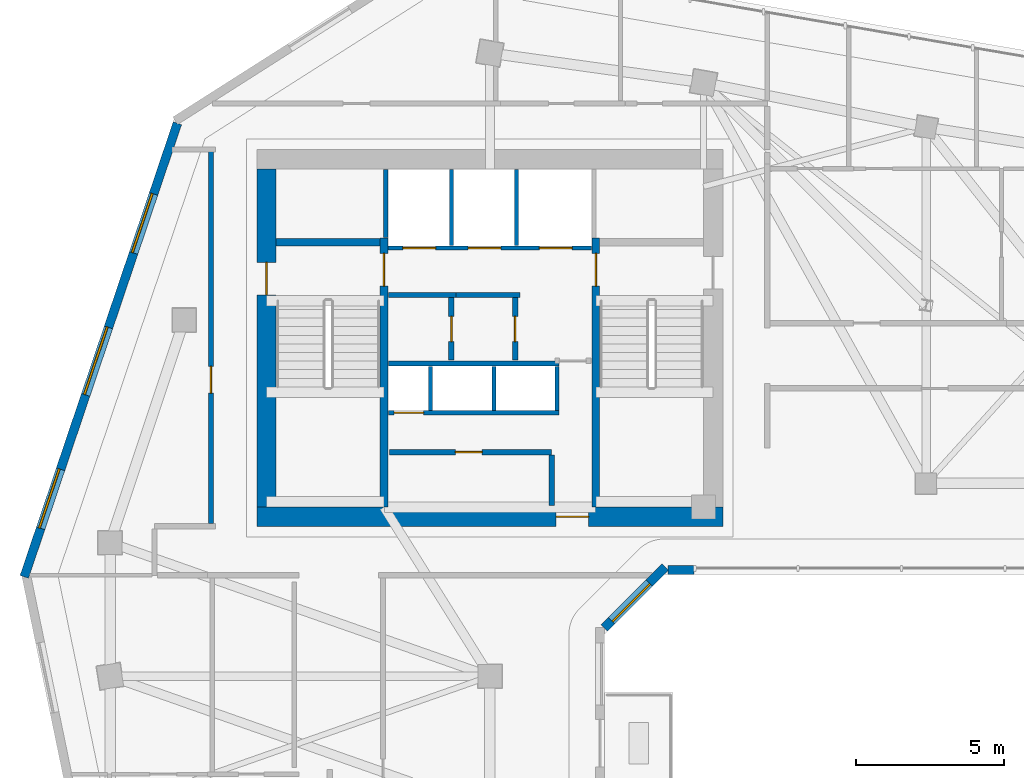
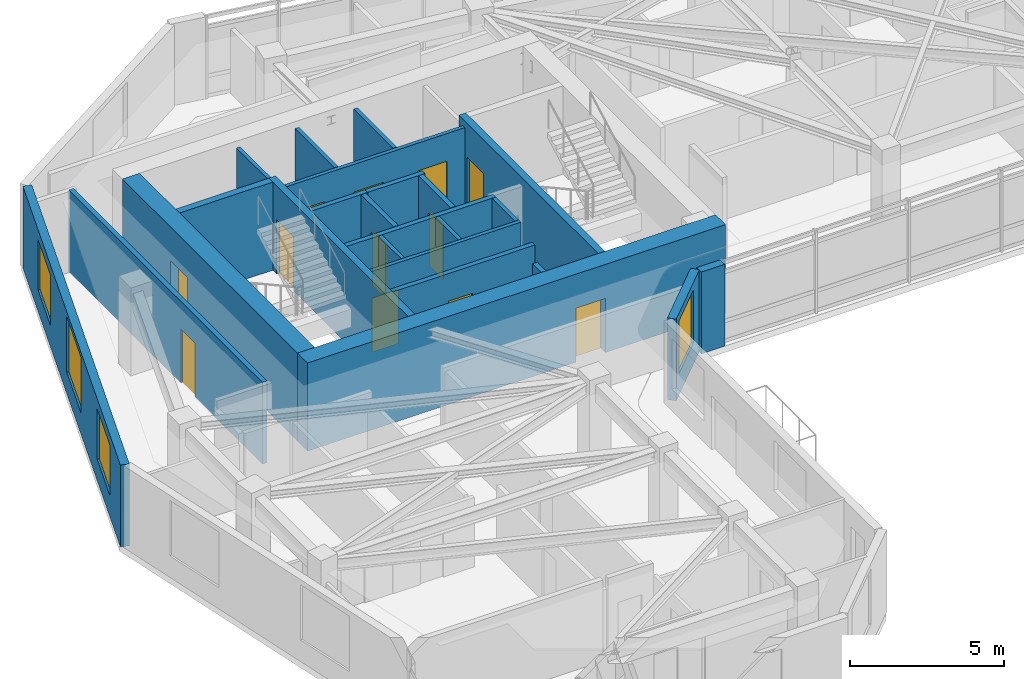
# One storey, part 5 of 10: 24 walls, 12 doors, 4 windows, 16 openings.
"""IFC4 building model written with IfcOpenShell, lengths in metres."""

from ifc_helpers import new_model, si_unit, direction, frame, frame_2d, origin, place, context, subcontext, project, spatial, rectangle, extrude, source, transform, mapped, material, layer, layer_set, type_object, element, fill, save


model = new_model("IFC4")

# Units and contexts
model_context = context("Model", 3, precision=1e-05, world=origin(), true_north=direction((0.0, 1.0)))
body_context = subcontext(model_context, "Body", "Model", "MODEL_VIEW")
ifc_project = project(units=[si_unit("LENGTHUNIT", "METRE"), si_unit("AREAUNIT", "SQUARE_METRE"), si_unit("VOLUMEUNIT", "CUBIC_METRE"), si_unit("PLANEANGLEUNIT", "RADIAN"), si_unit("MASSUNIT", "GRAM", prefix="KILO")], contexts=[model_context])

# Site, building, storey
site_placement = place(None, origin())
site = spatial("IfcSite", under=ifc_project, at=site_placement, CompositionType="ELEMENT")
building_placement = place(site_placement, origin())
building = spatial("IfcBuilding", under=site, at=building_placement, Name="Calvemar Wedge Station Tower", CompositionType="ELEMENT")
storey_placement = place(building_placement, frame((0.0, 0.0, 197.39990234375)))
storey = spatial("IfcBuildingStorey", under=building, at=storey_placement, Name="L49", CompositionType="ELEMENT", Elevation=197.39990234375)

# Wall, opening, door
ifc_material_1 = material(Name="Concrete C50", Category="concrete")
ifc_layer_1 = layer(ifc_material_1, 0.260009765625)
ifc_layer_set_1 = layer_set([ifc_layer_1], Name="Concrete C50")
wall_type_1 = type_object("IfcWallType", Name="SW-CORE-260", PredefinedType="SHEAR", material=ifc_layer_set_1)
wall_1_placement = place(storey_placement, frame((20.22998046875, 34.199951171875, 0.0), z_axis=(0.0, 0.0, 1.0), x_axis=(0.0, 1.0, 0.0)))
wall_1 = element("IfcWall", 1, at=wall_1_placement, inside=storey, type_object=wall_type_1, Name="Storey L49 Core Shear Wall SPINE-W", PredefinedType="SHEAR", context=body_context, shape_type="SweptSolid", body=[
    extrude(rectangle(XDim=9.06005859375, YDim=0.260009765625, at=frame_2d((4.530029296875, 0.0))), origin(), (0.0, 0.0, 1.0), 3.5),
])
shared_shape_1 = source(origin(), body_context, "Body", "SweptSolid", [
    extrude(rectangle(XDim=1.10009765625, YDim=2.14990234375, at=frame_2d((0.550048828125, 1.074951171875))), frame((0.0, 0.14013671875, 0.0), z_axis=(0.0, -1.0, 0.0), x_axis=(1.0, 0.0, 0.0)), (0.0, 0.0, 1.0), 0.280029296875),
])
opening_1_placement = place(wall_1_placement, frame((7.449951171875, 0.0, 0.0)))
opening_1 = element("IfcOpeningElement", 2, at=opening_1_placement, cuts=wall_1, Name="Opening FD-90", PredefinedType="OPENING", context=body_context, shape_type="MappedRepresentation", body=[
    mapped(shared_shape_1, transform((0.0, 0.0, 0.0), scale=1.0)),
])
ifc_material_2 = material(Name="Galvanized fire-rated steel door leaf P-90", Category="steel")
door_type_1 = type_object("IfcDoorType", Name="DR-FD90-1100", OperationType="NOTDEFINED", PredefinedType="DOOR", material=ifc_material_2)
shared_shape_2 = source(origin(), body_context, "Body", "SweptSolid", [
    extrude(rectangle(XDim=1.10009765625, YDim=2.14990234375, at=frame_2d((0.550048828125, 1.074951171875))), frame((0.0, 0.02490234375, 0.0), z_axis=(0.0, -1.0, 0.0), x_axis=(1.0, 0.0, 0.0)), (0.0, 0.0, 1.0), 0.050048828125),
])
door_1_placement = place(opening_1_placement, origin())
door_1 = element("IfcDoor", 3, at=door_1_placement, inside=storey, type_object=door_type_1, Name="L49 FF Lobby to Stair ST-C1 Door", OperationType="SINGLE_SWING_LEFT", OverallHeight=2.14990234375, OverallWidth=1.10009765625, PredefinedType="DOOR", context=body_context, shape_type="MappedRepresentation", body=[
    mapped(shared_shape_2, transform((0.0, 0.0, 0.0), scale=1.0)),
])
fill(opening_1, door_1)

wall_2_placement = place(storey_placement, frame((27.3701171875, 34.199951171875, 0.0), z_axis=(0.0, 0.0, 1.0), x_axis=(0.0, 1.0, 0.0)))
wall_2 = element("IfcWall", 4, at=wall_2_placement, inside=storey, type_object=wall_type_1, Name="Storey L49 Core Shear Wall SPINE-E", PredefinedType="SHEAR", context=body_context, shape_type="SweptSolid", body=[
    extrude(rectangle(XDim=9.06005859375, YDim=0.260009765625, at=frame_2d((4.530029296875, 0.0))), origin(), (0.0, 0.0, 1.0), 3.5),
])
opening_2_placement = place(wall_2_placement, frame((7.449951171875, 0.0, 0.0)))
opening_2 = element("IfcOpeningElement", 5, at=opening_2_placement, cuts=wall_2, Name="Opening FD-90", PredefinedType="OPENING", context=body_context, shape_type="MappedRepresentation", body=[
    mapped(shared_shape_1, transform((0.0, 0.0, 0.0), scale=1.0)),
])
door_2_placement = place(opening_2_placement, origin())
door_2 = element("IfcDoor", 6, at=door_2_placement, inside=storey, type_object=door_type_1, Name="L49 FF Lobby to Stair ST-C2 Door", OperationType="SINGLE_SWING_RIGHT", OverallHeight=2.14990234375, OverallWidth=1.10009765625, PredefinedType="DOOR", context=body_context, shape_type="MappedRepresentation", body=[
    mapped(shared_shape_2, transform((0.0, 0.0, 0.0), scale=1.0)),
])
fill(opening_2, door_2)

# Wall
wall_3_placement = place(storey_placement, frame((16.60009765625, 43.1298828125, 0.0), z_axis=(0.0, 0.0, 1.0), x_axis=(1.0, 0.0, 0.0)))
element("IfcWall", 7, at=wall_3_placement, inside=storey, type_object=wall_type_1, Name="Storey L49 Core Shear Wall STC1-N", PredefinedType="SHEAR", context=body_context, shape_type="SweptSolid", body=[
    extrude(rectangle(XDim=3.5, YDim=0.260009765625, at=frame_2d((1.75, 0.0))), origin(), (0.0, 0.0, 1.0), 3.5),
])

# Wall, opening, door
ifc_material_3 = material(Name="Concrete C60", Category="concrete")
ifc_layer_2 = layer(ifc_material_3, 0.64990234375)
ifc_layer_set_2 = layer_set([ifc_layer_2], Name="Concrete C60")
wall_type_2 = type_object("IfcWallType", Name="SW-CORE-650", PredefinedType="SHEAR", material=ifc_layer_set_2)
wall_4_placement = place(storey_placement, frame((15.949951171875, 33.875, 0.0), z_axis=(0.0, 0.0, 1.0), x_axis=(1.0, 0.0, 0.0)))
wall_4 = element("IfcWall", 8, at=wall_4_placement, inside=storey, type_object=wall_type_2, Name="Storey L49 Core Shear Wall S", PredefinedType="SHEAR", context=body_context, shape_type="SweptSolid", body=[
    extrude(rectangle(XDim=15.699951171875, YDim=0.64990234375, at=frame_2d((7.85009765625, 0.0))), origin(), (0.0, 0.0, 1.0), 3.5),
])
shared_shape_3 = source(origin(), body_context, "Body", "SweptSolid", [
    extrude(rectangle(XDim=1.10009765625, YDim=2.14990234375, at=frame_2d((0.550048828125, 1.074951171875))), frame((0.0, 0.3349609375, 0.0), z_axis=(0.0, -1.0, 0.0), x_axis=(1.0, 0.0, 0.0)), (0.0, 0.0, 1.0), 0.669921875),
])
opening_3_placement = place(wall_4_placement, frame((10.080078125, 0.0, 0.0)))
opening_3 = element("IfcOpeningElement", 9, at=opening_3_placement, cuts=wall_4, Name="Opening FD-90", PredefinedType="OPENING", context=body_context, shape_type="MappedRepresentation", body=[
    mapped(shared_shape_3, transform((0.0, 0.0, 0.0), scale=1.0)),
])
door_3_placement = place(opening_3_placement, origin())
door_3 = element("IfcDoor", 10, at=door_3_placement, inside=storey, type_object=door_type_1, Name="L49 Passenger Lift Lobby Door", OperationType="SINGLE_SWING_LEFT", OverallHeight=2.14990234375, OverallWidth=1.10009765625, PredefinedType="DOOR", context=body_context, shape_type="MappedRepresentation", body=[
    mapped(shared_shape_2, transform((0.0, 0.0, 0.0), scale=1.0)),
])
fill(opening_3, door_3)

wall_5_placement = place(storey_placement, frame((16.27490234375, 34.199951171875, 0.0), z_axis=(0.0, 0.0, 1.0), x_axis=(0.0, 1.0, 0.0)))
wall_5 = element("IfcWall", 11, at=wall_5_placement, inside=storey, type_object=wall_type_2, Name="Storey L49 Core Shear Wall W", PredefinedType="SHEAR", context=body_context, shape_type="SweptSolid", body=[
    extrude(rectangle(XDim=11.400146484375, YDim=0.64990234375, at=frame_2d((5.7001953125, 0.0))), origin(), (0.0, 0.0, 1.0), 3.5),
])
opening_4_placement = place(wall_5_placement, frame((7.14990234375, 0.0, 0.0)))
opening_4 = element("IfcOpeningElement", 12, at=opening_4_placement, cuts=wall_5, Name="Opening FD-90", PredefinedType="OPENING", context=body_context, shape_type="MappedRepresentation", body=[
    mapped(shared_shape_3, transform((0.0, 0.0, 0.0), scale=1.0)),
])
door_4_placement = place(opening_4_placement, origin())
door_4 = element("IfcDoor", 13, at=door_4_placement, inside=storey, type_object=door_type_1, Name="L49 West Corridor to Exit Stair ST-C1 Door", OperationType="SINGLE_SWING_LEFT", OverallHeight=2.14990234375, OverallWidth=1.10009765625, PredefinedType="DOOR", context=body_context, shape_type="MappedRepresentation", body=[
    mapped(shared_shape_2, transform((0.0, 0.0, 0.0), scale=1.0)),
])
fill(opening_4, door_4)

# Walls
ifc_material_4 = material(Name="Double-stud fire-rated corridor partition")
ifc_layer_3 = layer(ifc_material_4, 0.179931640625)
ifc_layer_set_3 = layer_set([ifc_layer_3], Name="Double-stud fire-rated corridor partition")
wall_type_3 = type_object("IfcWallType", Name="W-CORR-180", PredefinedType="PARTITIONING", material=ifc_layer_set_3)
wall_6_placement = place(storey_placement, frame((22.659912109375, 41.35009765625, 0.0), z_axis=(0.0, 0.0, 1.0), x_axis=(-1.0, 0.0, 0.0)))
element("IfcWall", 14, at=wall_6_placement, inside=storey, type_object=wall_type_3, Name="Storey L49 Interior Partition WL-L49-001", PredefinedType="PARTITIONING", context=body_context, shape_type="SweptSolid", body=[
    extrude(rectangle(XDim=2.280029296875, YDim=0.179931640625, at=frame_2d((1.14013671875, 0.0))), origin(), (0.0, 0.0, 1.0), 3.25),
])
wall_7_placement = place(storey_placement, frame((24.81005859375, 41.35009765625, 0.0), z_axis=(0.0, 0.0, 1.0), x_axis=(-1.0, 0.0, 0.0)))
element("IfcWall", 15, at=wall_7_placement, inside=storey, type_object=wall_type_3, Name="Storey L49 Interior Partition WL-L49-002", PredefinedType="PARTITIONING", context=body_context, shape_type="SweptSolid", body=[
    extrude(rectangle(XDim=2.14794921875, YDim=0.179931640625, at=frame_2d((1.073974609375, 0.0))), origin(), (0.0, 0.0, 1.0), 3.25),
])

# Wall, opening, door
wall_8_placement = place(storey_placement, frame((22.5, 41.256103515625, 0.0), z_axis=(0.0, 0.0, 1.0), x_axis=(0.0, -1.0, 0.0)))
wall_8 = element("IfcWall", 16, at=wall_8_placement, inside=storey, type_object=wall_type_3, Name="Storey L49 Interior Partition WL-L49-003", PredefinedType="PARTITIONING", context=body_context, shape_type="SweptSolid", body=[
    extrude(rectangle(XDim=2.106201171875, YDim=0.179931640625, at=frame_2d((1.05322265625, 0.0))), origin(), (0.0, 0.0, 1.0), 3.25),
])
shared_shape_4 = source(origin(), body_context, "Body", "SweptSolid", [
    extrude(rectangle(XDim=0.85009765625, YDim=2.14990234375, at=frame_2d((0.425048828125, 1.074951171875))), frame((0.0, 0.10009765625, 0.0), z_axis=(0.0, -1.0, 0.0), x_axis=(1.0, 0.0, 0.0)), (0.0, 0.0, 1.0), 0.199951171875),
])
opening_5_placement = place(wall_8_placement, frame((0.6279296875, 0.0, 0.0)))
opening_5 = element("IfcOpeningElement", 17, at=opening_5_placement, cuts=wall_8, Name="Opening FD-60S", PredefinedType="OPENING", context=body_context, shape_type="MappedRepresentation", body=[
    mapped(shared_shape_4, transform((0.0, 0.0, 0.0), scale=1.0)),
])
ifc_material_5 = material(Name="Fire-rated steel and hardwood service door EI 60", Category="steel")
door_type_2 = type_object("IfcDoorType", Name="DR-CORE-FD60-850", OperationType="NOTDEFINED", PredefinedType="DOOR", material=ifc_material_5)
shared_shape_5 = source(origin(), body_context, "Body", "SweptSolid", [
    extrude(rectangle(XDim=0.85009765625, YDim=2.14990234375, at=frame_2d((0.425048828125, 1.074951171875))), frame((0.0, 0.02490234375, 0.0), z_axis=(0.0, -1.0, 0.0), x_axis=(1.0, 0.0, 0.0)), (0.0, 0.0, 1.0), 0.050048828125),
])
door_5_placement = place(opening_5_placement, origin())
door_5 = element("IfcDoor", 18, at=door_5_placement, inside=storey, type_object=door_type_2, Name="L49 IT and Telecoms Room Door", OperationType="SINGLE_SWING_RIGHT", OverallHeight=2.14990234375, OverallWidth=0.85009765625, PredefinedType="DOOR", context=body_context, shape_type="MappedRepresentation", body=[
    mapped(shared_shape_5, transform((0.0, 0.0, 0.0), scale=1.0)),
])
fill(opening_5, door_5)

wall_9_placement = place(storey_placement, frame((24.64990234375, 41.256103515625, 0.0), z_axis=(0.0, 0.0, 1.0), x_axis=(0.0, -1.0, 0.0)))
wall_9 = element("IfcWall", 19, at=wall_9_placement, inside=storey, type_object=wall_type_3, Name="Storey L49 Interior Partition WL-L49-004", PredefinedType="PARTITIONING", context=body_context, shape_type="SweptSolid", body=[
    extrude(rectangle(XDim=2.106201171875, YDim=0.179931640625, at=frame_2d((1.05322265625, 0.0))), origin(), (0.0, 0.0, 1.0), 3.25),
])
opening_6_placement = place(wall_9_placement, frame((0.6279296875, 0.0, 0.0)))
opening_6 = element("IfcOpeningElement", 20, at=opening_6_placement, cuts=wall_9, Name="Opening FD-60S", PredefinedType="OPENING", context=body_context, shape_type="MappedRepresentation", body=[
    mapped(shared_shape_4, transform((0.0, 0.0, 0.0), scale=1.0)),
])
door_6_placement = place(opening_6_placement, origin())
door_6 = element("IfcDoor", 21, at=door_6_placement, inside=storey, type_object=door_type_2, Name="L49 Core Equipment Store Door", OperationType="SINGLE_SWING_LEFT", OverallHeight=2.14990234375, OverallWidth=0.85009765625, PredefinedType="DOOR", context=body_context, shape_type="MappedRepresentation", body=[
    mapped(shared_shape_5, transform((0.0, 0.0, 0.0), scale=1.0)),
])
fill(opening_6, door_6)

wall_10_placement = place(storey_placement, frame((20.419921875, 36.050048828125, 0.0), z_axis=(0.0, 0.0, 1.0), x_axis=(1.0, 0.0, 0.0)))
wall_10 = element("IfcWall", 22, at=wall_10_placement, inside=storey, type_object=wall_type_3, Name="Storey L49 Interior Partition WL-L49-006", PredefinedType="PARTITIONING", context=body_context, shape_type="SweptSolid", body=[
    extrude(rectangle(XDim=5.4599609375, YDim=0.179931640625, at=frame_2d((2.72998046875, 0.0))), origin(), (0.0, 0.0, 1.0), 3.25),
])
shared_shape_6 = source(origin(), body_context, "Body", "SweptSolid", [
    extrude(rectangle(XDim=0.89990234375, YDim=2.14990234375, at=frame_2d((0.449951171875, 1.074951171875))), frame((0.0, 0.10009765625, 0.0), z_axis=(0.0, -1.0, 0.0), x_axis=(1.0, 0.0, 0.0)), (0.0, 0.0, 1.0), 0.199951171875),
])
opening_7_placement = place(wall_10_placement, frame((2.219482421875, 0.0, 0.0)))
opening_7 = element("IfcOpeningElement", 23, at=opening_7_placement, cuts=wall_10, Name="Opening FD-60", PredefinedType="OPENING", context=body_context, shape_type="MappedRepresentation", body=[
    mapped(shared_shape_6, transform((0.0, 0.0, 0.0), scale=1.0)),
])
ifc_material_6 = material(Name="Fire-rated acoustic timber-core entrance door EI 60", Category="wood")
door_type_3 = type_object("IfcDoorType", Name="DR-FD60-900", OperationType="NOTDEFINED", PredefinedType="DOOR", material=ifc_material_6)
shared_shape_7 = source(origin(), body_context, "Body", "SweptSolid", [
    extrude(rectangle(XDim=0.89990234375, YDim=2.14990234375, at=frame_2d((0.449951171875, 1.074951171875))), frame((0.0, 0.02490234375, 0.0), z_axis=(0.0, -1.0, 0.0), x_axis=(1.0, 0.0, 0.0)), (0.0, 0.0, 1.0), 0.050048828125),
])
door_7_placement = place(opening_7_placement, origin())
door_7 = element("IfcDoor", 24, at=door_7_placement, inside=storey, type_object=door_type_3, Name="L49 Parcel and Resident Store Door", OperationType="SINGLE_SWING_LEFT", OverallHeight=2.14990234375, OverallWidth=0.89990234375, PredefinedType="DOOR", context=body_context, shape_type="MappedRepresentation", body=[
    mapped(shared_shape_7, transform((0.0, 0.0, 0.0), scale=1.0)),
])
fill(opening_7, door_7)

# Wall
wall_11_placement = place(storey_placement, frame((25.8798828125, 35.9560546875, 0.0), z_axis=(0.0, 0.0, 1.0), x_axis=(0.0, -1.0, 0.0)))
element("IfcWall", 25, at=wall_11_placement, inside=storey, type_object=wall_type_3, Name="Storey L49 Interior Partition WL-L49-007", PredefinedType="PARTITIONING", context=body_context, shape_type="SweptSolid", body=[
    extrude(rectangle(XDim=1.7060546875, YDim=0.179931640625, at=frame_2d((0.85302734375, 0.0))), origin(), (0.0, 0.0, 1.0), 2.5419921875),
])

# Wall, opening, door
wall_12_placement = place(storey_placement, frame((14.39990234375, 33.64404296875, 0.0), z_axis=(0.0, 0.0, 1.0), x_axis=(0.0, 1.0, 0.0)))
wall_12 = element("IfcWall", 26, at=wall_12_placement, inside=storey, type_object=wall_type_3, Name="Storey L49 Interior Partition WL-L49-013", PredefinedType="PARTITIONING", context=body_context, shape_type="SweptSolid", body=[
    extrude(rectangle(XDim=12.60595703125, YDim=0.179931640625, at=frame_2d((6.302978515625, 0.0))), origin(), (0.0, 0.0, 1.0), 3.25),
])
opening_8_placement = place(wall_12_placement, frame((4.399169921875, 0.0, 0.0)))
opening_8 = element("IfcOpeningElement", 27, at=opening_8_placement, cuts=wall_12, Name="Opening D-01", PredefinedType="OPENING", context=body_context, shape_type="MappedRepresentation", body=[
    mapped(shared_shape_6, transform((0.0, 0.0, 0.0), scale=1.0)),
])
ifc_material_7 = material(Name="Architectural hardwood acoustic swing door", Category="wood")
door_type_4 = type_object("IfcDoorType", Name="DR-INT-900", OperationType="NOTDEFINED", PredefinedType="DOOR", material=ifc_material_7)
shared_shape_8 = source(origin(), body_context, "Body", "SweptSolid", [
    extrude(rectangle(XDim=0.89990234375, YDim=2.14990234375, at=frame_2d((0.449951171875, 1.074951171875))), frame((0.0, 0.02490234375, 0.0), z_axis=(0.0, -1.0, 0.0), x_axis=(1.0, 0.0, 0.0)), (0.0, 0.0, 1.0), 0.050048828125),
])
door_8_placement = place(opening_8_placement, origin())
door_8 = element("IfcDoor", 28, at=door_8_placement, inside=storey, type_object=door_type_4, Name="L49 Resident Reading Lounge Door", OperationType="SINGLE_SWING_RIGHT", OverallHeight=2.14990234375, OverallWidth=0.89990234375, PredefinedType="DOOR", context=body_context, shape_type="MappedRepresentation", body=[
    mapped(shared_shape_8, transform((0.0, 0.0, 0.0), scale=1.0)),
])
fill(opening_8, door_8)

# Wall, opening, window
ifc_material_8 = material(Name="Precast concrete C45", Category="concrete")
ifc_layer_4 = layer(ifc_material_8, 0.300048828125)
ifc_layer_set_4 = layer_set([ifc_layer_4], Name="Precast concrete C45")
wall_type_4 = type_object("IfcWallType", Name="W-EXT-GFRC-300", PredefinedType="SOLIDWALL", material=ifc_layer_set_4)
wall_13_placement = place(storey_placement, frame((27.652099609375, 30.1240234375, 0.0), z_axis=(0.0, 0.0, 1.0), x_axis=(0.707064797706, 0.707148762175, 0.0)))
wall_13 = element("IfcWall", 29, at=wall_13_placement, inside=storey, type_object=wall_type_4, Name="Storey L49 Bronze GFRC Exterior Wall 5", PredefinedType="SOLIDWALL", context=body_context, shape_type="SweptSolid", body=[
    extrude(rectangle(XDim=2.90771484375, YDim=0.300048828125, at=frame_2d((1.453857421875, 0.0))), origin(), (0.0, 0.0, 1.0), 3.25),
])
shared_shape_9 = source(origin(), body_context, "Body", "SweptSolid", [
    extrude(rectangle(XDim=1.800048828125, YDim=2.10009765625, at=frame_2d((0.89990234375, 1.050048828125))), frame((0.0, 0.16015625, 0.0), z_axis=(0.0, -1.0, 0.0), x_axis=(1.0, 0.0, 0.0)), (0.0, 0.0, 1.0), 0.320068359375),
])
opening_9_placement = place(wall_13_placement, frame((0.347900390625, 0.0, 0.85009765625)))
opening_9 = element("IfcOpeningElement", 30, at=opening_9_placement, cuts=wall_13, Name="Opening W2", PredefinedType="OPENING", context=body_context, shape_type="MappedRepresentation", body=[
    mapped(shared_shape_9, transform((0.0, 0.0, 0.0), scale=1.0)),
])
ifc_material_9 = material(Name="Low-E laminated insulated glass", Category="glass")
window_type_1 = type_object("IfcWindowType", Name="WIN-EXT-2", PartitioningType="SINGLE_PANEL", PredefinedType="WINDOW", material=ifc_material_9)
shared_shape_10 = source(origin(), body_context, "Body", "SweptSolid", [
    extrude(rectangle(XDim=1.800048828125, YDim=2.10009765625, at=frame_2d((0.89990234375, 1.050048828125))), frame((0.0, -0.014892578125, 0.0), z_axis=(0.0, -1.0, 0.0), x_axis=(1.0, 0.0, 0.0)), (0.0, 0.0, 1.0), 0.06005859375),
])
window_1_placement = place(opening_9_placement, origin())
window_1 = element("IfcWindow", 31, at=window_1_placement, inside=storey, type_object=window_type_1, Name="Storey L49 Recessed Window 5.1", OverallHeight=2.10009765625, OverallWidth=1.800048828125, PartitioningType="SINGLE_PANEL", PredefinedType="WINDOW", context=body_context, shape_type="MappedRepresentation", body=[
    mapped(shared_shape_10, transform((0.0, 0.0, 0.0), scale=1.0)),
])
fill(opening_9, window_1)

# Wall
wall_14_placement = place(storey_placement, frame((29.797119140625, 32.073974609375, 0.0), z_axis=(0.0, 0.0, 1.0), x_axis=(1.0, 0.0, 0.0)))
element("IfcWall", 32, at=wall_14_placement, inside=storey, type_object=wall_type_4, Name="Storey L49 Bronze GFRC Corner Pier 6A", PredefinedType="SOLIDWALL", context=body_context, shape_type="SweptSolid", body=[
    extrude(rectangle(XDim=0.88232421875, YDim=0.300048828125, at=frame_2d((0.441162109375, 0.0))), origin(), (0.0, 0.0, 1.0), 3.25),
])

# Wall, openings, windows
wall_15_placement = place(storey_placement, frame((13.2685546875, 47.1337890625, 0.0), z_axis=(0.0, 0.0, 1.0), x_axis=(-0.319920776449, -0.947444297464, 0.0)))
wall_15 = element("IfcWall", 33, at=wall_15_placement, inside=storey, type_object=wall_type_4, Name="Storey L49 Bronze GFRC Exterior Wall 12", PredefinedType="SOLIDWALL", context=body_context, shape_type="SweptSolid", body=[
    extrude(rectangle(XDim=16.13330078125, YDim=0.300048828125, at=frame_2d((8.066650390625, 0.0))), origin(), (0.0, 0.0, 1.0), 3.25),
])
shared_shape_11 = source(origin(), body_context, "Body", "SweptSolid", [
    extrude(rectangle(XDim=2.10009765625, YDim=2.0, at=frame_2d((1.050048828125, 1.0))), frame((0.0, 0.16015625, 0.0), z_axis=(0.0, -1.0, 0.0), x_axis=(1.0, 0.0, 0.0)), (0.0, 0.0, 1.0), 0.320068359375),
])
opening_10_placement = place(wall_15_placement, frame((2.512939453125, 0.0, 0.85009765625)))
opening_10 = element("IfcOpeningElement", 34, at=opening_10_placement, cuts=wall_15, Name="Opening W4", PredefinedType="OPENING", context=body_context, shape_type="MappedRepresentation", body=[
    mapped(shared_shape_11, transform((0.0, 0.0, 0.0), scale=1.0)),
])
shared_shape_12 = source(origin(), body_context, "Body", "SweptSolid", [
    extrude(rectangle(XDim=2.39990234375, YDim=2.199951171875, at=frame_2d((1.199951171875, 1.10009765625))), frame((0.0, 0.16015625, 0.0), z_axis=(0.0, -1.0, 0.0), x_axis=(1.0, 0.0, 0.0)), (0.0, 0.0, 1.0), 0.320068359375),
])
opening_11_placement = place(wall_15_placement, frame((7.260009765625, 0.0, 0.85009765625)))
opening_11 = element("IfcOpeningElement", 35, at=opening_11_placement, cuts=wall_15, Name="Opening W1", PredefinedType="OPENING", context=body_context, shape_type="MappedRepresentation", body=[
    mapped(shared_shape_12, transform((0.0, 0.0, 0.0), scale=1.0)),
])
opening_12_placement = place(wall_15_placement, frame((12.306884765625, 0.0, 0.85009765625)))
opening_12 = element("IfcOpeningElement", 36, at=opening_12_placement, cuts=wall_15, Name="Opening W4", PredefinedType="OPENING", context=body_context, shape_type="MappedRepresentation", body=[
    mapped(shared_shape_11, transform((0.0, 0.0, 0.0), scale=1.0)),
])
window_type_2 = type_object("IfcWindowType", Name="WIN-EXT-4", PartitioningType="SINGLE_PANEL", PredefinedType="WINDOW", material=ifc_material_9)
shared_shape_13 = source(origin(), body_context, "Body", "SweptSolid", [
    extrude(rectangle(XDim=2.10009765625, YDim=2.0, at=frame_2d((1.050048828125, 1.0))), frame((0.0, -0.014892578125, 0.0), z_axis=(0.0, -1.0, 0.0), x_axis=(1.0, 0.0, 0.0)), (0.0, 0.0, 1.0), 0.06005859375),
])
window_2_placement = place(opening_10_placement, origin())
window_2 = element("IfcWindow", 37, at=window_2_placement, inside=storey, type_object=window_type_2, Name="Storey L49 Recessed Window 12.1", OverallHeight=2.0, OverallWidth=2.10009765625, PartitioningType="SINGLE_PANEL", PredefinedType="WINDOW", context=body_context, shape_type="MappedRepresentation", body=[
    mapped(shared_shape_13, transform((0.0, 0.0, 0.0), scale=1.0)),
])
fill(opening_10, window_2)
window_3_placement = place(opening_12_placement, origin())
window_3 = element("IfcWindow", 38, at=window_3_placement, inside=storey, type_object=window_type_2, Name="Storey L49 Recessed Window 12.3", OverallHeight=2.0, OverallWidth=2.10009765625, PartitioningType="SINGLE_PANEL", PredefinedType="WINDOW", context=body_context, shape_type="MappedRepresentation", body=[
    mapped(shared_shape_13, transform((0.0, 0.0, 0.0), scale=1.0)),
])
fill(opening_12, window_3)
window_type_3 = type_object("IfcWindowType", Name="WIN-EXT-1", PartitioningType="SINGLE_PANEL", PredefinedType="WINDOW", material=ifc_material_9)
shared_shape_14 = source(origin(), body_context, "Body", "SweptSolid", [
    extrude(rectangle(XDim=2.39990234375, YDim=2.199951171875, at=frame_2d((1.199951171875, 1.10009765625))), frame((0.0, -0.014892578125, 0.0), z_axis=(0.0, -1.0, 0.0), x_axis=(1.0, 0.0, 0.0)), (0.0, 0.0, 1.0), 0.06005859375),
])
window_4_placement = place(opening_11_placement, origin())
window_4 = element("IfcWindow", 39, at=window_4_placement, inside=storey, type_object=window_type_3, Name="Storey L49 Recessed Window 12.2", OverallHeight=2.199951171875, OverallWidth=2.39990234375, PartitioningType="SINGLE_PANEL", PredefinedType="WINDOW", context=body_context, shape_type="MappedRepresentation", body=[
    mapped(shared_shape_14, transform((0.0, 0.0, 0.0), scale=1.0)),
])
fill(opening_11, window_4)

# Wall, openings, doors
ifc_material_10 = material(Name="Reinforced concrete blockwork lift shaft wall", Category="masonry")
ifc_layer_5 = layer(ifc_material_10, 0.139892578125)
ifc_layer_set_5 = layer_set([ifc_layer_5], Name="Reinforced concrete blockwork lift shaft wall")
wall_type_5 = type_object("IfcWallType", Name="W-LIFT-160", PredefinedType="SOLIDWALL", material=ifc_layer_set_5)
wall_16_placement = place(storey_placement, frame((20.3701171875, 42.929931640625, 0.0), z_axis=(0.0, 0.0, 1.0), x_axis=(1.0, 0.0, 0.0)))
wall_16 = element("IfcWall", 40, at=wall_16_placement, inside=storey, type_object=wall_type_5, Name="Storey L49 Firefighting and Service Lift Shaft Front Wall", PredefinedType="SOLIDWALL", context=body_context, shape_type="SweptSolid", body=[
    extrude(rectangle(XDim=6.85986328125, YDim=0.139892578125, at=frame_2d((3.429931640625, 0.0))), origin(), (0.0, 0.0, 1.0), 3.25),
])
shared_shape_15 = source(origin(), body_context, "Body", "SweptSolid", [
    extrude(rectangle(XDim=1.10009765625, YDim=2.14990234375, at=frame_2d((0.550048828125, 1.074951171875))), frame((0.0, 0.080078125, 0.0), z_axis=(0.0, -1.0, 0.0), x_axis=(1.0, 0.0, 0.0)), (0.0, 0.0, 1.0), 0.159912109375),
])
opening_13_placement = place(wall_16_placement, frame((0.5, 0.0, 0.0)))
opening_13 = element("IfcOpeningElement", 41, at=opening_13_placement, cuts=wall_16, Name="Opening LD-FF", PredefinedType="OPENING", context=body_context, shape_type="MappedRepresentation", body=[
    mapped(shared_shape_15, transform((0.0, 0.0, 0.0), scale=1.0)),
])
opening_14_placement = place(wall_16_placement, frame((2.699951171875, 0.0, 0.0)))
opening_14 = element("IfcOpeningElement", 42, at=opening_14_placement, cuts=wall_16, Name="Opening LD-FF", PredefinedType="OPENING", context=body_context, shape_type="MappedRepresentation", body=[
    mapped(shared_shape_15, transform((0.0, 0.0, 0.0), scale=1.0)),
])
opening_15_placement = place(wall_16_placement, frame((5.10009765625, 0.0, 0.0)))
opening_15 = element("IfcOpeningElement", 43, at=opening_15_placement, cuts=wall_16, Name="Opening LD-STN", PredefinedType="OPENING", context=body_context, shape_type="MappedRepresentation", body=[
    mapped(shared_shape_15, transform((0.0, 0.0, 0.0), scale=1.0)),
])
ifc_material_11 = material(Name="Stainless steel firefighting lift sliding landing door", Category="steel")
door_type_5 = type_object("IfcDoorType", Name="DR-LD-FF-1100", OperationType="SLIDING_TO_LEFT", PredefinedType="DOOR", material=ifc_material_11)
shared_shape_16 = source(origin(), body_context, "Body", "SweptSolid", [
    extrude(rectangle(XDim=1.10009765625, YDim=2.14990234375, at=frame_2d((0.550048828125, 1.074951171875))), frame((0.0, 0.02490234375, 0.0), z_axis=(0.0, -1.0, 0.0), x_axis=(1.0, 0.0, 0.0)), (0.0, 0.0, 1.0), 0.050048828125),
])
door_9_placement = place(opening_13_placement, origin())
door_9 = element("IfcDoor", 44, at=door_9_placement, inside=storey, type_object=door_type_5, Name="L49 Lift FF-01 Sliding Landing Door", OperationType="SLIDING_TO_LEFT", OverallHeight=2.14990234375, OverallWidth=1.10009765625, PredefinedType="DOOR", context=body_context, shape_type="MappedRepresentation", body=[
    mapped(shared_shape_16, transform((0.0, 0.0, 0.0), scale=1.0)),
])
fill(opening_13, door_9)
door_10_placement = place(opening_14_placement, origin())
door_10 = element("IfcDoor", 45, at=door_10_placement, inside=storey, type_object=door_type_5, Name="L49 Lift FF-02 Sliding Landing Door", OperationType="SLIDING_TO_RIGHT", OverallHeight=2.14990234375, OverallWidth=1.10009765625, PredefinedType="DOOR", context=body_context, shape_type="MappedRepresentation", body=[
    mapped(shared_shape_16, transform((0.0, 0.0, 0.0), scale=1.0)),
])
fill(opening_14, door_10)
ifc_material_12 = material(Name="Stainless steel transit lift sliding landing door", Category="steel")
door_type_6 = type_object("IfcDoorType", Name="DR-LD-PAX-1100", OperationType="SLIDING_TO_LEFT", PredefinedType="DOOR", material=ifc_material_12)
shared_shape_17 = source(origin(), body_context, "Body", "SweptSolid", [
    extrude(rectangle(XDim=1.10009765625, YDim=2.14990234375, at=frame_2d((0.550048828125, 1.074951171875))), frame((0.0, 0.02490234375, 0.0), z_axis=(0.0, -1.0, 0.0), x_axis=(1.0, 0.0, 0.0)), (0.0, 0.0, 1.0), 0.050048828125),
])
door_11_placement = place(opening_15_placement, origin())
door_11 = element("IfcDoor", 46, at=door_11_placement, inside=storey, type_object=door_type_6, Name="L49 Lift SV-01 Sliding Landing Door", OperationType="SLIDING_TO_LEFT", OverallHeight=2.14990234375, OverallWidth=1.10009765625, PredefinedType="DOOR", context=body_context, shape_type="MappedRepresentation", body=[
    mapped(shared_shape_17, transform((0.0, 0.0, 0.0), scale=1.0)),
])
fill(opening_15, door_11)

# Walls
wall_17_placement = place(storey_placement, frame((20.2900390625, 43.280029296875, 0.0), z_axis=(0.0, 0.0, 1.0), x_axis=(0.0, 1.0, 0.0)))
element("IfcWall", 47, at=wall_17_placement, inside=storey, type_object=wall_type_5, Name="Storey L49 Firefighting Lift Shaft Enclosure Wall W", PredefinedType="SOLIDWALL", context=body_context, shape_type="SweptSolid", body=[
    extrude(rectangle(XDim=2.300048828125, YDim=0.139892578125, at=frame_2d((1.14990234375, 0.0))), origin(), (0.0, 0.0, 1.0), 3.25),
])
for number, where, z_axis, x_axis, name in (
    (48, (22.5, 43.02001953125, 0.0), (0.0, 0.0, 1.0), (0.0, 1.0, 0.0), "Storey L49 Firefighting Lift Shaft Enclosure Wall D1"),
    (49, (24.699951171875, 43.02001953125, 0.0), (0.0, 0.0, 1.0), (0.0, 1.0, 0.0), "Storey L49 Firefighting Lift Shaft Enclosure Wall D2"),
):
    element("IfcWall", number, at=place(storey_placement, frame(where, z_axis=z_axis, x_axis=x_axis)), inside=storey, type_object=wall_type_5, Name=name, PredefinedType="SOLIDWALL", context=body_context, shape_type="SweptSolid", body=[
        extrude(rectangle(XDim=2.56005859375, YDim=0.139892578125, at=frame_2d((1.280029296875, 0.0))), origin(), (0.0, 0.0, 1.0), 3.25),
    ])

# Wall, opening, door
wall_18_placement = place(storey_placement, frame((20.3798828125, 37.3798828125, 0.0), z_axis=(0.0, 0.0, 1.0), x_axis=(1.0, 0.0, 0.0)))
wall_18 = element("IfcWall", 50, at=wall_18_placement, inside=storey, type_object=wall_type_5, Name="Storey L49 Upper Passenger Lift Bank Front Wall", PredefinedType="SOLIDWALL", context=body_context, shape_type="SweptSolid", body=[
    extrude(rectangle(XDim=5.75, YDim=0.139892578125, at=frame_2d((2.875, 0.0))), origin(), (0.0, 0.0, 1.0), 3.25),
])
shared_shape_18 = source(origin(), body_context, "Body", "SweptSolid", [
    extrude(rectangle(XDim=1.0, YDim=2.14990234375, at=frame_2d((0.5, 1.074951171875))), frame((0.0, 0.080078125, 0.0), z_axis=(0.0, -1.0, 0.0), x_axis=(1.0, 0.0, 0.0)), (0.0, 0.0, 1.0), 0.159912109375),
])
opening_16_placement = place(wall_18_placement, frame((0.18994140625, 0.0, 0.0)))
opening_16 = element("IfcOpeningElement", 51, at=opening_16_placement, cuts=wall_18, Name="Opening LD-PAX", PredefinedType="OPENING", context=body_context, shape_type="MappedRepresentation", body=[
    mapped(shared_shape_18, transform((0.0, 0.0, 0.0), scale=1.0)),
])
ifc_material_13 = material(Name="Anodised bronze passenger lift sliding landing door")
door_type_7 = type_object("IfcDoorType", Name="DR-LD-PAX-1000", OperationType="SLIDING_TO_LEFT", PredefinedType="DOOR", material=ifc_material_13)
shared_shape_19 = source(origin(), body_context, "Body", "SweptSolid", [
    extrude(rectangle(XDim=1.0, YDim=2.14990234375, at=frame_2d((0.5, 1.074951171875))), frame((0.0, 0.02490234375, 0.0), z_axis=(0.0, -1.0, 0.0), x_axis=(1.0, 0.0, 0.0)), (0.0, 0.0, 1.0), 0.050048828125),
])
door_12_placement = place(opening_16_placement, origin())
door_12 = element("IfcDoor", 52, at=door_12_placement, inside=storey, type_object=door_type_7, Name="L49 Lift RH-01 Sliding Landing Door", OperationType="SLIDING_TO_LEFT", OverallHeight=2.14990234375, OverallWidth=1.0, PredefinedType="DOOR", context=body_context, shape_type="MappedRepresentation", body=[
    mapped(shared_shape_19, transform((0.0, 0.0, 0.0), scale=1.0)),
])
fill(opening_16, door_12)

# Walls
for number, where, z_axis, x_axis, name in (
    (53, (26.06005859375, 37.4599609375, 0.0), (0.0, 0.0, 1.0), (0.0, 1.0, 0.0), "Storey L49 Upper Passenger Lift Shaft Wall E"),
    (54, (21.794921875, 37.4599609375, 0.0), (0.0, 0.0, 1.0), (0.0, 1.0, 0.0), "Storey L49 Upper Passenger Lift Shaft Wall D1"),
    (55, (23.93505859375, 37.4599609375, 0.0), (0.0, 0.0, 1.0), (0.0, 1.0, 0.0), "Storey L49 Upper Passenger Lift Shaft Wall D2"),
):
    element("IfcWall", number, at=place(storey_placement, frame(where, z_axis=z_axis, x_axis=x_axis)), inside=storey, type_object=wall_type_5, Name=name, PredefinedType="SOLIDWALL", context=body_context, shape_type="SweptSolid", body=[
        extrude(rectangle(XDim=1.47998046875, YDim=0.139892578125, at=frame_2d((0.739990234375, 0.0))), origin(), (0.0, 0.0, 1.0), 3.25),
    ])
ifc_material_14 = material(Name="Concrete blockwork and fireboard shaft wall", Category="masonry")
ifc_layer_6 = layer(ifc_material_14, 0.199951171875)
ifc_layer_set_6 = layer_set([ifc_layer_6], Name="Concrete blockwork and fireboard shaft wall")
wall_type_6 = type_object("IfcWallType", Name="W-SHAFT-200", PredefinedType="SOLIDWALL", material=ifc_layer_set_6)
wall_19_placement = place(storey_placement, frame((20.3798828125, 39.0400390625, 0.0), z_axis=(0.0, 0.0, 1.0), x_axis=(1.0, 0.0, 0.0)))
element("IfcWall", 56, at=wall_19_placement, inside=storey, type_object=wall_type_6, Name="Storey L49 Upper Passenger Lift Bank Rear Shaft Wall", PredefinedType="SOLIDWALL", context=body_context, shape_type="SweptSolid", body=[
    extrude(rectangle(XDim=5.75, YDim=0.179931640625, at=frame_2d((2.875, 0.0))), origin(), (0.0, 0.0, 1.0), 3.25),
])

save(model, "model.ifc")
